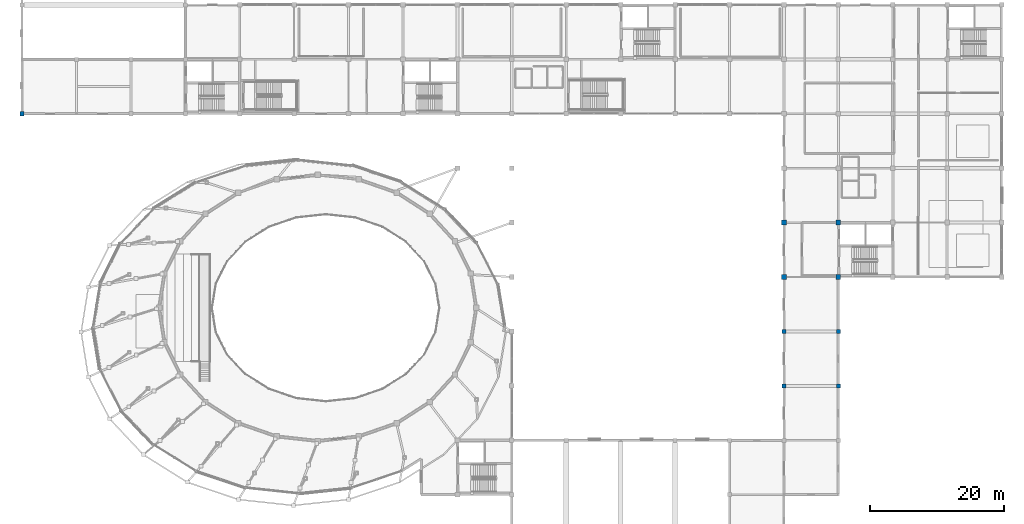
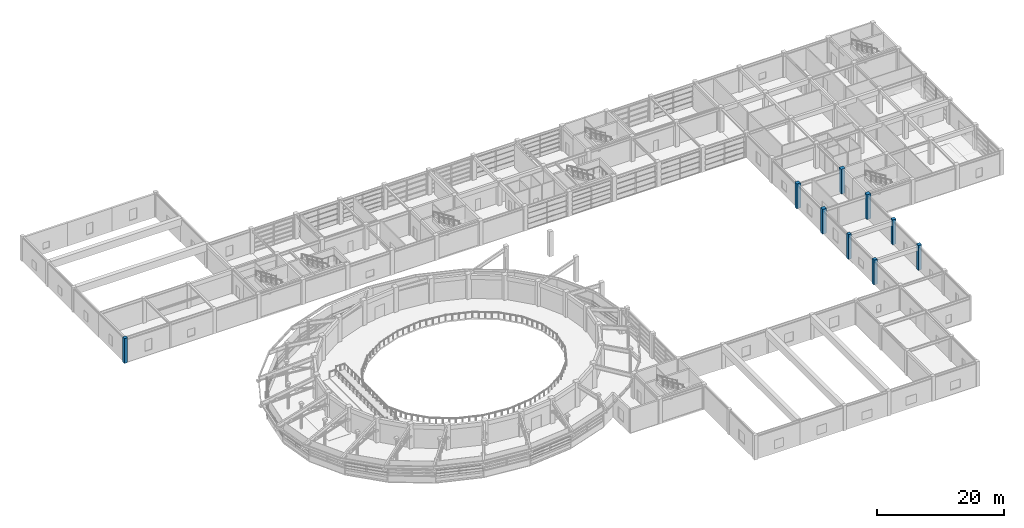
# One storey, part 7 of 58: 9 columns.
"""IFC4 building model written with IfcOpenShell, lengths in metres."""

from ifc_helpers import new_model, si_unit, direction, frame, origin, origin_2d, place, context, subcontext, project, spatial, rectangle, extrude, material, material_profile, profile_set, type_object, element, save


model = new_model("IFC4")

# Units and contexts
model_context = context("Model", 3, precision=1e-05, world=origin(), true_north=direction((0.0, 1.0)))
body_context = subcontext(model_context, "Body", "Model", "MODEL_VIEW")
ifc_project = project(units=[si_unit("LENGTHUNIT", "METRE"), si_unit("AREAUNIT", "SQUARE_METRE"), si_unit("VOLUMEUNIT", "CUBIC_METRE"), si_unit("PLANEANGLEUNIT", "RADIAN"), si_unit("MASSUNIT", "GRAM", prefix="KILO")], contexts=[model_context])

# Site, building, storey
site_placement = place(None, origin())
site = spatial("IfcSite", under=ifc_project, at=site_placement, CompositionType="ELEMENT")
building_placement = place(site_placement, origin())
building = spatial("IfcBuilding", under=site, at=building_placement, Name="Parian Resonance Hall", CompositionType="ELEMENT")
storey_placement = place(building_placement, frame((0.0, 0.0, 10.199951171875)))
storey = spatial("IfcBuildingStorey", under=building, at=storey_placement, Name="L02", CompositionType="ELEMENT", Elevation=10.199951171875)

# Columns
ifc_material_1 = material(Name="Concrete C40/50", Category="concrete")
ifc_material_profile_1 = material_profile(ifc_material_1, rectangle(XDim=0.60009765625, YDim=0.60009765625, at=origin_2d()), Name="RC-COL-600x600")
ifc_profile_set_1 = profile_set([ifc_material_profile_1], Name="Concrete C40/50")
column_type_1 = type_object("IfcColumnType", Name="COL-RC600", PredefinedType="COLUMN", material=ifc_profile_set_1)
for number, where, z_axis, x_axis, name in (
    (1, (0.0, 72.89990234375, 0.0), (0.0, 0.0, 1.0), (1.0, 0.0, 0.0), "Column G01-10 L02"),
    (2, (113.39990234375, 32.39990234375, 0.0), (0.0, 0.0, 1.0), (1.0, 0.0, 0.0), "Column G15-05 L02"),
    (3, (113.39990234375, 40.5, 0.0), (0.0, 0.0, 1.0), (1.0, 0.0, 0.0), "Column G15-06 L02"),
    (4, (121.5, 32.39990234375, 0.0), (0.0, 0.0, 1.0), (1.0, 0.0, 0.0), "Column G16-05 L02"),
    (5, (121.5, 40.5, 0.0), (0.0, 0.0, 1.0), (1.0, 0.0, 0.0), "Column G16-06 L02"),
):
    element("IfcColumn", number, at=place(storey_placement, frame(where, z_axis=z_axis, x_axis=x_axis)), inside=storey, type_object=column_type_1, Name=name, PredefinedType="COLUMN", context=body_context, shape_type="SweptSolid", body=[
        extrude(rectangle(XDim=0.60009765625, YDim=0.60009765625, at=origin_2d()), origin(), (0.0, 0.0, 1.0), 4.800048828125),
    ])
ifc_material_2 = material(Name="Concrete C40/50", Category="concrete")
ifc_material_profile_2 = material_profile(ifc_material_2, rectangle(XDim=0.699951171875, YDim=0.699951171875, at=origin_2d()), Name="RC-COL-700x700")
ifc_profile_set_2 = profile_set([ifc_material_profile_2], Name="Concrete C40/50")
column_type_2 = type_object("IfcColumnType", Name="COL-RC700", PredefinedType="COLUMN", material=ifc_profile_set_2)
for number, where, z_axis, x_axis, name in (
    (6, (113.39990234375, 48.60009765625, 0.0), (0.0, 0.0, 1.0), (1.0, 0.0, 0.0), "Column G15-07 L02"),
    (7, (113.39990234375, 56.699951171875, 0.0), (0.0, 0.0, 1.0), (1.0, 0.0, 0.0), "Column G15-08 L02"),
    (8, (121.5, 48.60009765625, 0.0), (0.0, 0.0, 1.0), (1.0, 0.0, 0.0), "Column G16-07 L02"),
    (9, (121.5, 56.699951171875, 0.0), (0.0, 0.0, 1.0), (1.0, 0.0, 0.0), "Column G16-08 L02"),
):
    element("IfcColumn", number, at=place(storey_placement, frame(where, z_axis=z_axis, x_axis=x_axis)), inside=storey, type_object=column_type_2, Name=name, PredefinedType="COLUMN", context=body_context, shape_type="SweptSolid", body=[
        extrude(rectangle(XDim=0.699951171875, YDim=0.699951171875, at=origin_2d()), origin(), (0.0, 0.0, 1.0), 4.800048828125),
    ])

save(model, "model.ifc")
